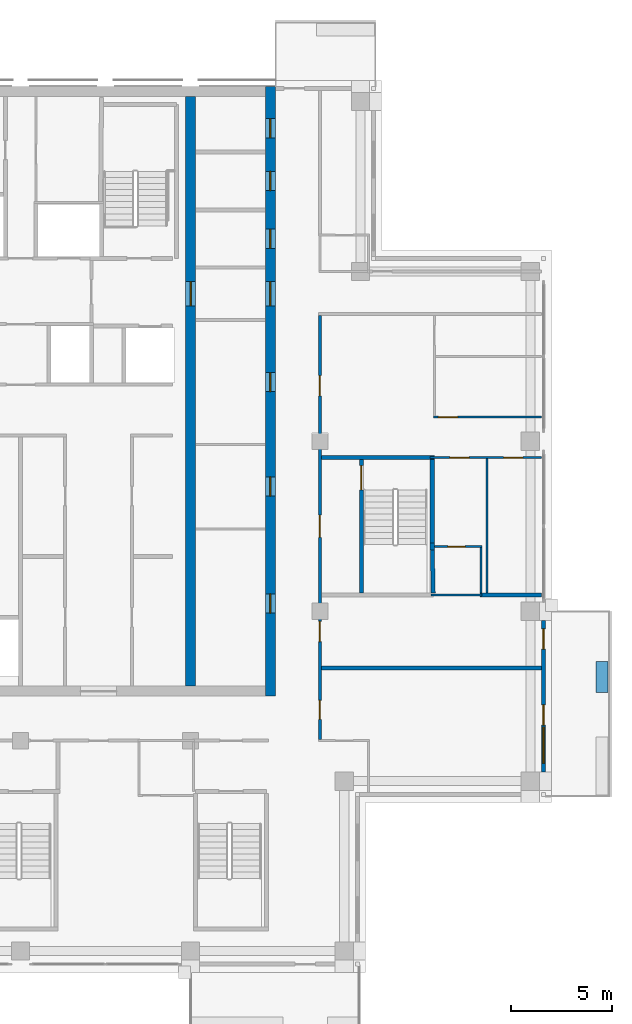
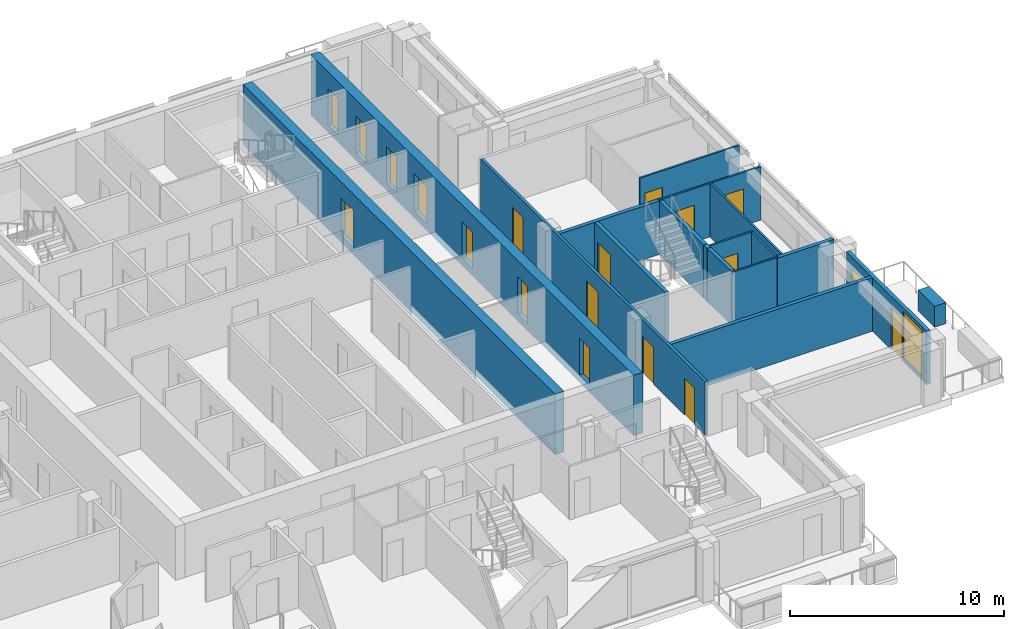
# One storey, part 12 of 18: 19 doors, 18 walls, 1 window, 20 openings.
"""IFC4 building model written with IfcOpenShell, lengths in metres."""

from ifc_helpers import new_model, si_unit, direction, frame, frame_2d, origin, place, context, subcontext, project, spatial, rectangle, extrude, material, layer, layer_set, type_object, element, fill, save


model = new_model("IFC4")

# Units and contexts
model_context = context("Model", 3, precision=1e-05, world=origin(), true_north=direction((0.0, 1.0)))
body_context = subcontext(model_context, "Body", "Model", "MODEL_VIEW")
ifc_project = project(units=[si_unit("LENGTHUNIT", "METRE"), si_unit("AREAUNIT", "SQUARE_METRE"), si_unit("VOLUMEUNIT", "CUBIC_METRE"), si_unit("PLANEANGLEUNIT", "RADIAN"), si_unit("MASSUNIT", "GRAM", prefix="KILO")], contexts=[model_context])

# Site, building, storey
site_placement = place(None, origin())
site = spatial("IfcSite", under=ifc_project, at=site_placement, CompositionType="ELEMENT")
building_placement = place(site_placement, origin())
building = spatial("IfcBuilding", under=site, at=building_placement, Name="Vermilion Ogive Tower", CompositionType="ELEMENT")
storey_placement = place(building_placement, frame((0.0, 0.0, 230.35009765625)))
storey = spatial("IfcBuildingStorey", under=building, at=storey_placement, Name="L60", CompositionType="ELEMENT", Elevation=230.35009765625)

# Wall, openings, doors
ifc_material_1 = material(Name="Concrete B60", Category="concrete")
ifc_layer_1 = layer(ifc_material_1, 0.5)
ifc_layer_set_1 = layer_set([ifc_layer_1], Name="Core wall 500 B60")
wall_type_1 = type_object("IfcWallType", Name="Core wall 500 B60", PredefinedType="SHEAR", material=ifc_layer_set_1)
wall_1_placement = place(storey_placement, frame((12.35009765625, -8.39990234375, -0.400146484375), z_axis=(0.0, 0.0, 1.0), x_axis=(0.0, 1.0, 0.0)))
wall_1 = element("IfcWall", 1, at=wall_1_placement, inside=storey, type_object=wall_type_1, Name="L60-CORE-E", PredefinedType="SHEAR", context=body_context, shape_type="SweptSolid", body=[
    extrude(rectangle(XDim=30.14990234375, YDim=0.5, at=frame_2d((15.074951171875, 0.0))), origin(), (0.0, 0.0, 1.0), 3.449951171875),
])
opening_1_placement = place(wall_1_placement, frame((4.112548828125, 0.0, 0.39990234375)))
opening_1 = element("IfcOpeningElement", 2, at=opening_1_placement, cuts=wall_1, Name="Opening DAC100", PredefinedType="OPENING", context=body_context, shape_type="SweptSolid", body=[
    extrude(rectangle(XDim=0.949951171875, YDim=2.10009765625, at=frame_2d((0.47509765625, 1.050048828125))), frame((0.0, 0.260009765625, 0.0), z_axis=(0.0, -1.0, 0.0), x_axis=(1.0, 0.0, 0.0)), (0.0, 0.0, 1.0), 0.52001953125),
])
opening_2_placement = place(wall_1_placement, frame((9.8896484375, 0.0, 0.39990234375)))
opening_2 = element("IfcOpeningElement", 3, at=opening_2_placement, cuts=wall_1, Name="Opening DAC101", PredefinedType="OPENING", context=body_context, shape_type="SweptSolid", body=[
    extrude(rectangle(XDim=0.949951171875, YDim=2.10009765625, at=frame_2d((0.47509765625, 1.050048828125))), frame((0.0, 0.260009765625, 0.0), z_axis=(0.0, -1.0, 0.0), x_axis=(1.0, 0.0, 0.0)), (0.0, 0.0, 1.0), 0.52001953125),
])
opening_3_placement = place(wall_1_placement, frame((15.052001953125, 0.0, 0.39990234375)))
opening_3 = element("IfcOpeningElement", 4, at=opening_3_placement, cuts=wall_1, Name="Opening DAC102", PredefinedType="OPENING", context=body_context, shape_type="SweptSolid", body=[
    extrude(rectangle(XDim=0.949951171875, YDim=2.10009765625, at=frame_2d((0.47509765625, 1.050048828125))), frame((0.0, 0.260009765625, 0.0), z_axis=(0.0, -1.0, 0.0), x_axis=(1.0, 0.0, 0.0)), (0.0, 0.0, 1.0), 0.52001953125),
])
opening_4_placement = place(wall_1_placement, frame((22.1435546875, 0.0, 0.39990234375)))
opening_4 = element("IfcOpeningElement", 5, at=opening_4_placement, cuts=wall_1, Name="Opening DAC103", PredefinedType="OPENING", context=body_context, shape_type="SweptSolid", body=[
    extrude(rectangle(XDim=0.949951171875, YDim=2.10009765625, at=frame_2d((0.47509765625, 1.050048828125))), frame((0.0, 0.260009765625, 0.0), z_axis=(0.0, -1.0, 0.0), x_axis=(1.0, 0.0, 0.0)), (0.0, 0.0, 1.0), 0.52001953125),
])
opening_5_placement = place(wall_1_placement, frame((24.998291015625, 0.0, 0.39990234375)))
opening_5 = element("IfcOpeningElement", 6, at=opening_5_placement, cuts=wall_1, Name="Opening DAC104", PredefinedType="OPENING", context=body_context, shape_type="SweptSolid", body=[
    extrude(rectangle(XDim=0.949951171875, YDim=2.10009765625, at=frame_2d((0.47509765625, 1.050048828125))), frame((0.0, 0.260009765625, 0.0), z_axis=(0.0, -1.0, 0.0), x_axis=(1.0, 0.0, 0.0)), (0.0, 0.0, 1.0), 0.52001953125),
])
opening_6_placement = place(wall_1_placement, frame((27.604736328125, 0.0, 0.39990234375)))
opening_6 = element("IfcOpeningElement", 7, at=opening_6_placement, cuts=wall_1, Name="Opening DAC105", PredefinedType="OPENING", context=body_context, shape_type="SweptSolid", body=[
    extrude(rectangle(XDim=0.949951171875, YDim=2.10009765625, at=frame_2d((0.47509765625, 1.050048828125))), frame((0.0, 0.260009765625, 0.0), z_axis=(0.0, -1.0, 0.0), x_axis=(1.0, 0.0, 0.0)), (0.0, 0.0, 1.0), 0.52001953125),
])
opening_7_placement = place(wall_1_placement, frame((19.300048828125, 0.0, 0.39990234375)))
opening_7 = element("IfcOpeningElement", 8, at=opening_7_placement, cuts=wall_1, Name="Opening DAL024", PredefinedType="OPENING", context=body_context, shape_type="SweptSolid", body=[
    extrude(rectangle(XDim=1.199951171875, YDim=2.10009765625, at=frame_2d((0.60009765625, 1.050048828125))), frame((0.0, 0.260009765625, 0.0), z_axis=(0.0, -1.0, 0.0), x_axis=(1.0, 0.0, 0.0)), (0.0, 0.0, 1.0), 0.52001953125),
])
ifc_material_2 = material(Name="Timber door leaf", Category="wood")
door_type_1 = type_object("IfcDoorType", Name="Link door 1200 x 2100 FD60S", OperationType="SINGLE_SWING_LEFT", PredefinedType="DOOR", material=ifc_material_2)
door_1_placement = place(opening_7_placement, origin())
door_1 = element("IfcDoor", 9, at=door_1_placement, inside=storey, type_object=door_type_1, Name="L60-CKE-XL", OperationType="SINGLE_SWING_LEFT", OverallHeight=2.10009765625, OverallWidth=1.199951171875, PredefinedType="DOOR", context=body_context, shape_type="SweptSolid", body=[
    extrude(rectangle(XDim=1.199951171875, YDim=2.10009765625, at=frame_2d((0.60009765625, 1.050048828125))), frame((0.0, 0.02490234375, 0.0), z_axis=(0.0, -1.0, 0.0), x_axis=(1.0, 0.0, 0.0)), (0.0, 0.0, 1.0), 0.050048828125),
])
fill(opening_7, door_1)
ifc_material_3 = material(Name="Timber door leaf", Category="wood")
door_type_2 = type_object("IfcDoorType", Name="Service door 950 x 2100 FD60", OperationType="SINGLE_SWING_LEFT", PredefinedType="DOOR", material=ifc_material_3)
door_2_placement = place(opening_1_placement, origin())
door_2 = element("IfcDoor", 10, at=door_2_placement, inside=storey, type_object=door_type_2, Name="L60-CKE-XR0", OperationType="SINGLE_SWING_LEFT", OverallHeight=2.10009765625, OverallWidth=0.949951171875, PredefinedType="DOOR", context=body_context, shape_type="SweptSolid", body=[
    extrude(rectangle(XDim=0.949951171875, YDim=2.10009765625, at=frame_2d((0.47509765625, 1.050048828125))), frame((0.0, 0.02490234375, 0.0), z_axis=(0.0, -1.0, 0.0), x_axis=(1.0, 0.0, 0.0)), (0.0, 0.0, 1.0), 0.050048828125),
])
fill(opening_1, door_2)
door_3_placement = place(opening_2_placement, origin())
door_3 = element("IfcDoor", 11, at=door_3_placement, inside=storey, type_object=door_type_2, Name="L60-CKE-XR1", OperationType="SINGLE_SWING_LEFT", OverallHeight=2.10009765625, OverallWidth=0.949951171875, PredefinedType="DOOR", context=body_context, shape_type="SweptSolid", body=[
    extrude(rectangle(XDim=0.949951171875, YDim=2.10009765625, at=frame_2d((0.47509765625, 1.050048828125))), frame((0.0, 0.02490234375, 0.0), z_axis=(0.0, -1.0, 0.0), x_axis=(1.0, 0.0, 0.0)), (0.0, 0.0, 1.0), 0.050048828125),
])
fill(opening_2, door_3)
door_4_placement = place(opening_3_placement, origin())
door_4 = element("IfcDoor", 12, at=door_4_placement, inside=storey, type_object=door_type_2, Name="L60-CKE-XR2", OperationType="SINGLE_SWING_LEFT", OverallHeight=2.10009765625, OverallWidth=0.949951171875, PredefinedType="DOOR", context=body_context, shape_type="SweptSolid", body=[
    extrude(rectangle(XDim=0.949951171875, YDim=2.10009765625, at=frame_2d((0.47509765625, 1.050048828125))), frame((0.0, 0.02490234375, 0.0), z_axis=(0.0, -1.0, 0.0), x_axis=(1.0, 0.0, 0.0)), (0.0, 0.0, 1.0), 0.050048828125),
])
fill(opening_3, door_4)
door_5_placement = place(opening_4_placement, origin())
door_5 = element("IfcDoor", 13, at=door_5_placement, inside=storey, type_object=door_type_2, Name="L60-CKE-XR3", OperationType="SINGLE_SWING_LEFT", OverallHeight=2.10009765625, OverallWidth=0.949951171875, PredefinedType="DOOR", context=body_context, shape_type="SweptSolid", body=[
    extrude(rectangle(XDim=0.949951171875, YDim=2.10009765625, at=frame_2d((0.47509765625, 1.050048828125))), frame((0.0, 0.02490234375, 0.0), z_axis=(0.0, -1.0, 0.0), x_axis=(1.0, 0.0, 0.0)), (0.0, 0.0, 1.0), 0.050048828125),
])
fill(opening_4, door_5)
door_6_placement = place(opening_5_placement, origin())
door_6 = element("IfcDoor", 14, at=door_6_placement, inside=storey, type_object=door_type_2, Name="L60-CKE-XR4", OperationType="SINGLE_SWING_LEFT", OverallHeight=2.10009765625, OverallWidth=0.949951171875, PredefinedType="DOOR", context=body_context, shape_type="SweptSolid", body=[
    extrude(rectangle(XDim=0.949951171875, YDim=2.10009765625, at=frame_2d((0.47509765625, 1.050048828125))), frame((0.0, 0.02490234375, 0.0), z_axis=(0.0, -1.0, 0.0), x_axis=(1.0, 0.0, 0.0)), (0.0, 0.0, 1.0), 0.050048828125),
])
fill(opening_5, door_6)
door_7_placement = place(opening_6_placement, origin())
door_7 = element("IfcDoor", 15, at=door_7_placement, inside=storey, type_object=door_type_2, Name="L60-CKE-XR5", OperationType="SINGLE_SWING_LEFT", OverallHeight=2.10009765625, OverallWidth=0.949951171875, PredefinedType="DOOR", context=body_context, shape_type="SweptSolid", body=[
    extrude(rectangle(XDim=0.949951171875, YDim=2.10009765625, at=frame_2d((0.47509765625, 1.050048828125))), frame((0.0, 0.02490234375, 0.0), z_axis=(0.0, -1.0, 0.0), x_axis=(1.0, 0.0, 0.0)), (0.0, 0.0, 1.0), 0.050048828125),
])
fill(opening_6, door_7)

# Wall, opening, door
wall_2_placement = place(storey_placement, frame((8.39990234375, -7.89990234375, -0.400146484375), z_axis=(0.0, 0.0, 1.0), x_axis=(0.0, 1.0, 0.0)))
wall_2 = element("IfcWall", 16, at=wall_2_placement, inside=storey, type_object=wall_type_1, Name="L60-CORE-WEB2", PredefinedType="SHEAR", context=body_context, shape_type="SweptSolid", body=[
    extrude(rectangle(XDim=29.14990234375, YDim=0.5, at=frame_2d((14.574951171875, 0.0))), origin(), (0.0, 0.0, 1.0), 3.449951171875),
])
opening_8_placement = place(wall_2_placement, frame((18.800048828125, 0.0, 0.39990234375)))
opening_8 = element("IfcOpeningElement", 17, at=opening_8_placement, cuts=wall_2, Name="Opening DAO019", PredefinedType="OPENING", context=body_context, shape_type="SweptSolid", body=[
    extrude(rectangle(XDim=1.199951171875, YDim=2.10009765625, at=frame_2d((0.60009765625, 1.050048828125))), frame((0.0, 0.260009765625, 0.0), z_axis=(0.0, -1.0, 0.0), x_axis=(1.0, 0.0, 0.0)), (0.0, 0.0, 1.0), 0.52001953125),
])
door_8_placement = place(opening_8_placement, origin())
door_8 = element("IfcDoor", 18, at=door_8_placement, inside=storey, type_object=door_type_1, Name="L60-CKE-XW", OperationType="SINGLE_SWING_LEFT", OverallHeight=2.10009765625, OverallWidth=1.199951171875, PredefinedType="DOOR", context=body_context, shape_type="SweptSolid", body=[
    extrude(rectangle(XDim=1.199951171875, YDim=2.10009765625, at=frame_2d((0.60009765625, 1.050048828125))), frame((0.0, 0.02490234375, 0.0), z_axis=(0.0, -1.0, 0.0), x_axis=(1.0, 0.0, 0.0)), (0.0, 0.0, 1.0), 0.050048828125),
])
fill(opening_8, door_8)

# Wall
ifc_material_4 = material(Name="Gypsum board partition on steel studs", Category="steel")
ifc_layer_2 = layer(ifc_material_4, 0.10009765625)
ifc_layer_set_2 = layer_set([ifc_layer_2], Name="Partition 100 bath")
wall_type_2 = type_object("IfcWallType", Name="Partition 100 bath", PredefinedType="PARTITIONING", material=ifc_layer_set_2)
wall_3_placement = place(storey_placement, frame((20.300048828125, -3.39990234375, 0.0), z_axis=(0.0, 0.0, 1.0), x_axis=(1.0, 0.0, 0.0)))
element("IfcWall", 19, at=wall_3_placement, inside=storey, type_object=wall_type_2, Name="L60-W-W019", PredefinedType="PARTITIONING", context=body_context, shape_type="SweptSolid", body=[
    extrude(rectangle(XDim=2.5, YDim=0.10009765625, at=frame_2d((1.25, 0.0))), origin(), (0.0, 0.0, 1.0), 3.0498046875),
])

# Wall, opening, door
wall_4_placement = place(storey_placement, frame((20.449951171875, -1.0, 0.0), z_axis=(0.0, 0.0, 1.0), x_axis=(1.0, 0.0, 0.0)))
wall_4 = element("IfcWall", 20, at=wall_4_placement, inside=storey, type_object=wall_type_2, Name="L60-W-W021", PredefinedType="PARTITIONING", context=body_context, shape_type="SweptSolid", body=[
    extrude(rectangle(XDim=2.35009765625, YDim=0.10009765625, at=frame_2d((1.175048828125, 0.0))), origin(), (0.0, 0.0, 1.0), 3.0498046875),
])
opening_9_placement = place(wall_4_placement, frame((0.675048828125, 0.0, 0.0)))
opening_9 = element("IfcOpeningElement", 21, at=opening_9_placement, cuts=wall_4, Name="Opening D5G1020", PredefinedType="OPENING", context=body_context, shape_type="SweptSolid", body=[
    extrude(rectangle(XDim=0.85009765625, YDim=2.10009765625, at=frame_2d((0.425048828125, 1.050048828125))), frame((0.0, 0.06005859375, 0.0), z_axis=(0.0, -1.0, 0.0), x_axis=(1.0, 0.0, 0.0)), (0.0, 0.0, 1.0), 0.1201171875),
])
ifc_material_5 = material(Name="Timber door leaf", Category="wood")
door_type_3 = type_object("IfcDoorType", Name="Bath door 850 x 2100 FD30", OperationType="SINGLE_SWING_LEFT", PredefinedType="DOOR", material=ifc_material_5)
door_9_placement = place(opening_9_placement, origin())
door_9 = element("IfcDoor", 22, at=door_9_placement, inside=storey, type_object=door_type_3, Name="L60-D-D020", OperationType="SINGLE_SWING_RIGHT", OverallHeight=2.10009765625, OverallWidth=0.85009765625, PredefinedType="DOOR", context=body_context, shape_type="SweptSolid", body=[
    extrude(rectangle(XDim=0.85009765625, YDim=2.10009765625, at=frame_2d((0.425048828125, 1.050048828125))), frame((0.0, 0.02490234375, 0.0), z_axis=(0.0, -1.0, 0.0), x_axis=(1.0, 0.0, 0.0)), (0.0, 0.0, 1.0), 0.050048828125),
])
fill(opening_9, door_9)

# Wall
wall_5_placement = place(storey_placement, frame((22.75, -3.300048828125, 0.0), z_axis=(0.0, 0.0, 1.0), x_axis=(0.0, 1.0, 0.0)))
element("IfcWall", 23, at=wall_5_placement, inside=storey, type_object=wall_type_2, Name="L60-W-W066", PredefinedType="PARTITIONING", context=body_context, shape_type="SweptSolid", body=[
    extrude(rectangle(XDim=2.25, YDim=0.10009765625, at=frame_2d((1.125, 0.0))), origin(), (0.0, 0.0, 1.0), 3.0498046875),
])

# Wall, openings, doors
ifc_material_6 = material(Name="Gypsum board partition on steel studs", Category="steel")
ifc_layer_3 = layer(ifc_material_6, 0.10009765625)
ifc_layer_set_3 = layer_set([ifc_layer_3], Name="Partition 100 inner")
wall_type_3 = type_object("IfcWallType", Name="Partition 100 inner", PredefinedType="PARTITIONING", material=ifc_layer_set_3)
wall_6_placement = place(storey_placement, frame((20.25, 3.39990234375, 0.0), z_axis=(0.0, 0.0, 1.0), x_axis=(1.0, 0.0, 0.0)))
wall_6 = element("IfcWall", 24, at=wall_6_placement, inside=storey, type_object=wall_type_3, Name="L60-W-W026", PredefinedType="PARTITIONING", context=body_context, shape_type="SweptSolid", body=[
    extrude(rectangle(XDim=5.5, YDim=0.10009765625, at=frame_2d((2.75, 0.0))), origin(), (0.0, 0.0, 1.0), 3.0498046875),
])
opening_10_placement = place(wall_6_placement, frame((3.625, 0.0, 0.0)))
opening_10 = element("IfcOpeningElement", 25, at=opening_10_placement, cuts=wall_6, Name="Opening D5G1015", PredefinedType="OPENING", context=body_context, shape_type="SweptSolid", body=[
    extrude(rectangle(XDim=0.949951171875, YDim=2.10009765625, at=frame_2d((0.47509765625, 1.050048828125))), frame((0.0, 0.06005859375, 0.0), z_axis=(0.0, -1.0, 0.0), x_axis=(1.0, 0.0, 0.0)), (0.0, 0.0, 1.0), 0.1201171875),
])
opening_11_placement = place(wall_6_placement, frame((0.97509765625, 0.0, 0.0)))
opening_11 = element("IfcOpeningElement", 26, at=opening_11_placement, cuts=wall_6, Name="Opening D5G1019", PredefinedType="OPENING", context=body_context, shape_type="SweptSolid", body=[
    extrude(rectangle(XDim=0.949951171875, YDim=2.10009765625, at=frame_2d((0.47509765625, 1.050048828125))), frame((0.0, 0.06005859375, 0.0), z_axis=(0.0, -1.0, 0.0), x_axis=(1.0, 0.0, 0.0)), (0.0, 0.0, 1.0), 0.1201171875),
])
ifc_material_7 = material(Name="Timber door leaf", Category="wood")
door_type_4 = type_object("IfcDoorType", Name="Inner door 950 x 2100 FD30", OperationType="SINGLE_SWING_LEFT", PredefinedType="DOOR", material=ifc_material_7)
door_10_placement = place(opening_10_placement, origin())
door_10 = element("IfcDoor", 27, at=door_10_placement, inside=storey, type_object=door_type_4, Name="L60-D-D015", OperationType="SINGLE_SWING_LEFT", OverallHeight=2.10009765625, OverallWidth=0.949951171875, PredefinedType="DOOR", context=body_context, shape_type="SweptSolid", body=[
    extrude(rectangle(XDim=0.949951171875, YDim=2.10009765625, at=frame_2d((0.47509765625, 1.050048828125))), frame((0.0, 0.02490234375, 0.0), z_axis=(0.0, -1.0, 0.0), x_axis=(1.0, 0.0, 0.0)), (0.0, 0.0, 1.0), 0.050048828125),
])
fill(opening_10, door_10)
door_11_placement = place(opening_11_placement, origin())
door_11 = element("IfcDoor", 28, at=door_11_placement, inside=storey, type_object=door_type_4, Name="L60-D-D019", OperationType="SINGLE_SWING_RIGHT", OverallHeight=2.10009765625, OverallWidth=0.949951171875, PredefinedType="DOOR", context=body_context, shape_type="SweptSolid", body=[
    extrude(rectangle(XDim=0.949951171875, YDim=2.10009765625, at=frame_2d((0.47509765625, 1.050048828125))), frame((0.0, 0.02490234375, 0.0), z_axis=(0.0, -1.0, 0.0), x_axis=(1.0, 0.0, 0.0)), (0.0, 0.0, 1.0), 0.050048828125),
])
fill(opening_11, door_11)

# Wall, opening, door
wall_7_placement = place(storey_placement, frame((20.39990234375, 5.39990234375, 0.0), z_axis=(0.0, 0.0, 1.0), x_axis=(1.0, 0.0, 0.0)))
wall_7 = element("IfcWall", 29, at=wall_7_placement, inside=storey, type_object=wall_type_3, Name="L60-W-W028", PredefinedType="PARTITIONING", context=body_context, shape_type="SweptSolid", body=[
    extrude(rectangle(XDim=5.35009765625, YDim=0.10009765625, at=frame_2d((2.675048828125, 0.0))), origin(), (0.0, 0.0, 1.0), 3.0498046875),
])
opening_12_placement = place(wall_7_placement, frame((0.25, 0.0, 0.0)))
opening_12 = element("IfcOpeningElement", 30, at=opening_12_placement, cuts=wall_7, Name="Opening D5G1016", PredefinedType="OPENING", context=body_context, shape_type="SweptSolid", body=[
    extrude(rectangle(XDim=0.949951171875, YDim=2.10009765625, at=frame_2d((0.47509765625, 1.050048828125))), frame((0.0, 0.06005859375, 0.0), z_axis=(0.0, -1.0, 0.0), x_axis=(1.0, 0.0, 0.0)), (0.0, 0.0, 1.0), 0.1201171875),
])
door_12_placement = place(opening_12_placement, origin())
door_12 = element("IfcDoor", 31, at=door_12_placement, inside=storey, type_object=door_type_4, Name="L60-D-D016", OperationType="SINGLE_SWING_LEFT", OverallHeight=2.10009765625, OverallWidth=0.949951171875, PredefinedType="DOOR", context=body_context, shape_type="SweptSolid", body=[
    extrude(rectangle(XDim=0.949951171875, YDim=2.10009765625, at=frame_2d((0.47509765625, 1.050048828125))), frame((0.0, 0.02490234375, 0.0), z_axis=(0.0, -1.0, 0.0), x_axis=(1.0, 0.0, 0.0)), (0.0, 0.0, 1.0), 0.050048828125),
])
fill(opening_12, door_12)

# Wall
wall_8_placement = place(storey_placement, frame((23.050048828125, -3.300048828125, 0.0), z_axis=(0.0, 0.0, 1.0), x_axis=(0.0, 1.0, 0.0)))
element("IfcWall", 32, at=wall_8_placement, inside=storey, type_object=wall_type_3, Name="L60-W-W067", PredefinedType="PARTITIONING", context=body_context, shape_type="SweptSolid", body=[
    extrude(rectangle(XDim=6.650146484375, YDim=0.10009765625, at=frame_2d((3.3251953125, 0.0))), origin(), (0.0, 0.0, 1.0), 3.0498046875),
])

# Wall, openings, doors
ifc_material_8 = material(Name="Gypsum board partition on steel studs", Category="steel")
ifc_layer_4 = layer(ifc_material_8, 0.14990234375)
ifc_layer_set_4 = layer_set([ifc_layer_4], Name="Partition 150 corridor")
wall_type_4 = type_object("IfcWallType", Name="Partition 150 corridor", PredefinedType="PARTITIONING", material=ifc_layer_set_4)
wall_9_placement = place(storey_placement, frame((14.800048828125, -10.550048828125, 0.0), z_axis=(0.0, 0.0, 1.0), x_axis=(0.0, 1.0, 0.0)))
wall_9 = element("IfcWall", 33, at=wall_9_placement, inside=storey, type_object=wall_type_4, Name="L60-W-W057", PredefinedType="PARTITIONING", context=body_context, shape_type="SweptSolid", body=[
    extrude(rectangle(XDim=20.97509765625, YDim=0.14990234375, at=frame_2d((10.487548828125, 0.0))), origin(), (0.0, 0.0, 1.0), 3.0498046875),
])
opening_13_placement = place(wall_9_placement, frame((1.0, 0.0, 0.0)))
opening_13 = element("IfcOpeningElement", 34, at=opening_13_placement, cuts=wall_9, Name="Opening D5G1013", PredefinedType="OPENING", context=body_context, shape_type="SweptSolid", body=[
    extrude(rectangle(XDim=0.949951171875, YDim=2.10009765625, at=frame_2d((0.47509765625, 1.050048828125))), frame((0.0, 0.0849609375, 0.0), z_axis=(0.0, -1.0, 0.0), x_axis=(1.0, 0.0, 0.0)), (0.0, 0.0, 1.0), 0.169921875),
])
opening_14_placement = place(wall_9_placement, frame((17.0, 0.0, 0.0)))
opening_14 = element("IfcOpeningElement", 35, at=opening_14_placement, cuts=wall_9, Name="Opening D5G1018", PredefinedType="OPENING", context=body_context, shape_type="SweptSolid", body=[
    extrude(rectangle(XDim=1.0, YDim=2.10009765625, at=frame_2d((0.5, 1.050048828125))), frame((0.0, 0.0849609375, 0.0), z_axis=(0.0, -1.0, 0.0), x_axis=(1.0, 0.0, 0.0)), (0.0, 0.0, 1.0), 0.169921875),
])
opening_15_placement = place(wall_9_placement, frame((10.0, 0.0, 0.0)))
opening_15 = element("IfcOpeningElement", 36, at=opening_15_placement, cuts=wall_9, Name="Opening D5G1029", PredefinedType="OPENING", context=body_context, shape_type="SweptSolid", body=[
    extrude(rectangle(XDim=1.10009765625, YDim=2.10009765625, at=frame_2d((0.550048828125, 1.050048828125))), frame((0.0, 0.0849609375, 0.0), z_axis=(0.0, -1.0, 0.0), x_axis=(1.0, 0.0, 0.0)), (0.0, 0.0, 1.0), 0.169921875),
])
opening_16_placement = place(wall_9_placement, frame((4.85009765625, 0.0, 0.0)))
opening_16 = element("IfcOpeningElement", 37, at=opening_16_placement, cuts=wall_9, Name="Opening D5G1034", PredefinedType="OPENING", context=body_context, shape_type="SweptSolid", body=[
    extrude(rectangle(XDim=1.0, YDim=2.10009765625, at=frame_2d((0.5, 1.050048828125))), frame((0.0, 0.0849609375, 0.0), z_axis=(0.0, -1.0, 0.0), x_axis=(1.0, 0.0, 0.0)), (0.0, 0.0, 1.0), 0.169921875),
])
ifc_material_9 = material(Name="Timber door leaf", Category="wood")
door_type_5 = type_object("IfcDoorType", Name="Stair door 1100 x 2100 FD60S", OperationType="SINGLE_SWING_LEFT", PredefinedType="DOOR", material=ifc_material_9)
door_13_placement = place(opening_15_placement, origin())
door_13 = element("IfcDoor", 38, at=door_13_placement, inside=storey, type_object=door_type_5, Name="L60-D-D029", OperationType="SINGLE_SWING_LEFT", OverallHeight=2.10009765625, OverallWidth=1.10009765625, PredefinedType="DOOR", context=body_context, shape_type="SweptSolid", body=[
    extrude(rectangle(XDim=1.10009765625, YDim=2.10009765625, at=frame_2d((0.550048828125, 1.050048828125))), frame((0.0, 0.02490234375, 0.0), z_axis=(0.0, -1.0, 0.0), x_axis=(1.0, 0.0, 0.0)), (0.0, 0.0, 1.0), 0.050048828125),
])
fill(opening_15, door_13)
ifc_material_10 = material(Name="Timber door leaf", Category="wood")
door_type_6 = type_object("IfcDoorType", Name="Unit door 1000 x 2100 FD30S", OperationType="SINGLE_SWING_LEFT", PredefinedType="DOOR", material=ifc_material_10)
door_14_placement = place(opening_14_placement, origin())
door_14 = element("IfcDoor", 39, at=door_14_placement, inside=storey, type_object=door_type_6, Name="L60-D-D018", OperationType="SINGLE_SWING_RIGHT", OverallHeight=2.10009765625, OverallWidth=1.0, PredefinedType="DOOR", context=body_context, shape_type="SweptSolid", body=[
    extrude(rectangle(XDim=1.0, YDim=2.10009765625, at=frame_2d((0.5, 1.050048828125))), frame((0.0, 0.02490234375, 0.0), z_axis=(0.0, -1.0, 0.0), x_axis=(1.0, 0.0, 0.0)), (0.0, 0.0, 1.0), 0.050048828125),
])
fill(opening_14, door_14)
door_15_placement = place(opening_16_placement, origin())
door_15 = element("IfcDoor", 40, at=door_15_placement, inside=storey, type_object=door_type_6, Name="L60-D-D034", OperationType="SINGLE_SWING_LEFT", OverallHeight=2.10009765625, OverallWidth=1.0, PredefinedType="DOOR", context=body_context, shape_type="SweptSolid", body=[
    extrude(rectangle(XDim=1.0, YDim=2.10009765625, at=frame_2d((0.5, 1.050048828125))), frame((0.0, 0.02490234375, 0.0), z_axis=(0.0, -1.0, 0.0), x_axis=(1.0, 0.0, 0.0)), (0.0, 0.0, 1.0), 0.050048828125),
])
fill(opening_16, door_15)
ifc_material_11 = material(Name="Timber door leaf", Category="wood")
door_type_7 = type_object("IfcDoorType", Name="Unit door 950 x 2100 FD30S", OperationType="SINGLE_SWING_LEFT", PredefinedType="DOOR", material=ifc_material_11)
door_16_placement = place(opening_13_placement, origin())
door_16 = element("IfcDoor", 41, at=door_16_placement, inside=storey, type_object=door_type_7, Name="L60-D-D013", OperationType="SINGLE_SWING_RIGHT", OverallHeight=2.10009765625, OverallWidth=0.949951171875, PredefinedType="DOOR", context=body_context, shape_type="SweptSolid", body=[
    extrude(rectangle(XDim=0.949951171875, YDim=2.10009765625, at=frame_2d((0.47509765625, 1.050048828125))), frame((0.0, 0.02490234375, 0.0), z_axis=(0.0, -1.0, 0.0), x_axis=(1.0, 0.0, 0.0)), (0.0, 0.0, 1.0), 0.050048828125),
])
fill(opening_13, door_16)

# Walls
ifc_material_12 = material(Name="Gypsum board partition on steel studs", Category="steel")
ifc_layer_5 = layer(ifc_material_12, 0.199951171875)
ifc_layer_set_5 = layer_set([ifc_layer_5], Name="Partition 200 party")
wall_type_5 = type_object("IfcWallType", Name="Partition 200 party", PredefinedType="PARTITIONING", material=ifc_layer_set_5)
wall_10_placement = place(storey_placement, frame((14.875, -7.0, 0.0), z_axis=(0.0, 0.0, 1.0), x_axis=(1.0, 0.0, 0.0)))
element("IfcWall", 42, at=wall_10_placement, inside=storey, type_object=wall_type_5, Name="L60-W-W015", PredefinedType="PARTITIONING", context=body_context, shape_type="SweptSolid", body=[
    extrude(rectangle(XDim=10.875, YDim=0.199951171875, at=frame_2d((5.4375, 0.0))), origin(), (0.0, 0.0, 1.0), 3.0498046875),
])
wall_11_placement = place(storey_placement, frame((22.699951171875, -3.39990234375, 0.0), z_axis=(0.0, 0.0, 1.0), x_axis=(1.0, 0.0, 0.0)))
element("IfcWall", 43, at=wall_11_placement, inside=storey, type_object=wall_type_5, Name="L60-W-W020", PredefinedType="PARTITIONING", context=body_context, shape_type="SweptSolid", body=[
    extrude(rectangle(XDim=3.050048828125, YDim=0.199951171875, at=frame_2d((1.52490234375, 0.0))), origin(), (0.0, 0.0, 1.0), 3.0498046875),
])
ifc_material_13 = material(Name="Concrete B60", Category="concrete")
ifc_layer_6 = layer(ifc_material_13, 0.199951171875)
ifc_layer_set_6 = layer_set([ifc_layer_6], Name="Stair shaft wall 200 Concrete B60")
wall_type_6 = type_object("IfcWallType", Name="Stair shaft wall 200 Concrete B60", PredefinedType="SOLIDWALL", material=ifc_layer_set_6)
wall_12_placement = place(storey_placement, frame((14.875, 3.39990234375, 0.0), z_axis=(0.0, 0.0, 1.0), x_axis=(1.0, 0.0, 0.0)))
element("IfcWall", 44, at=wall_12_placement, inside=storey, type_object=wall_type_6, Name="L60-W-W025", PredefinedType="SOLIDWALL", context=body_context, shape_type="SweptSolid", body=[
    extrude(rectangle(XDim=5.574951171875, YDim=0.199951171875, at=frame_2d((2.78759765625, 0.0))), origin(), (0.0, 0.0, 1.0), 3.0498046875),
])

# Wall, opening, door
wall_13_placement = place(storey_placement, frame((16.85009765625, -3.300048828125, 0.0), z_axis=(0.0, 0.0, 1.0), x_axis=(0.0, 1.0, 0.0)))
wall_13 = element("IfcWall", 45, at=wall_13_placement, inside=storey, type_object=wall_type_6, Name="L60-W-W060", PredefinedType="SOLIDWALL", context=body_context, shape_type="SweptSolid", body=[
    extrude(rectangle(XDim=6.60009765625, YDim=0.199951171875, at=frame_2d((3.300048828125, 0.0))), origin(), (0.0, 0.0, 1.0), 3.0498046875),
])
opening_17_placement = place(wall_13_placement, frame((5.10009765625, 0.0, 0.0)))
opening_17 = element("IfcOpeningElement", 46, at=opening_17_placement, cuts=wall_13, Name="Opening D5G1030", PredefinedType="OPENING", context=body_context, shape_type="SweptSolid", body=[
    extrude(rectangle(XDim=1.199951171875, YDim=2.10009765625, at=frame_2d((0.60009765625, 1.050048828125))), frame((0.0, 0.10986328125, 0.0), z_axis=(0.0, -1.0, 0.0), x_axis=(1.0, 0.0, 0.0)), (0.0, 0.0, 1.0), 0.219970703125),
])
ifc_material_14 = material(Name="Timber door leaf", Category="wood")
door_type_8 = type_object("IfcDoorType", Name="Stair door 1200 x 2100 FD60S", OperationType="SINGLE_SWING_LEFT", PredefinedType="DOOR", material=ifc_material_14)
door_17_placement = place(opening_17_placement, origin())
door_17 = element("IfcDoor", 47, at=door_17_placement, inside=storey, type_object=door_type_8, Name="L60-D-D030", OperationType="SINGLE_SWING_LEFT", OverallHeight=2.10009765625, OverallWidth=1.199951171875, PredefinedType="DOOR", context=body_context, shape_type="SweptSolid", body=[
    extrude(rectangle(XDim=1.199951171875, YDim=2.10009765625, at=frame_2d((0.60009765625, 1.050048828125))), frame((0.0, 0.02490234375, 0.0), z_axis=(0.0, -1.0, 0.0), x_axis=(1.0, 0.0, 0.0)), (0.0, 0.0, 1.0), 0.050048828125),
])
fill(opening_17, door_17)

# Walls
wall_14_placement = place(storey_placement, frame((20.400146484375, -3.300048828125, 0.0), z_axis=(0.0, 0.0, 1.0), x_axis=(-0.021771342749, 0.999762976227, 0.0)))
element("IfcWall", 48, at=wall_14_placement, inside=storey, type_object=wall_type_6, Name="L60-W-W063", PredefinedType="SOLIDWALL", context=body_context, shape_type="SweptSolid", body=[
    extrude(rectangle(XDim=2.130615234375, YDim=0.199951171875, at=frame_2d((1.0654296875, 0.0))), origin(), (0.0, 0.0, 1.0), 3.0498046875),
])
wall_15_placement = place(storey_placement, frame((20.35009765625, -0.830078125, 0.0), z_axis=(0.0, 0.0, 1.0), x_axis=(0.0, 1.0, 0.0)))
element("IfcWall", 49, at=wall_15_placement, inside=storey, type_object=wall_type_6, Name="L60-W-W064", PredefinedType="SOLIDWALL", context=body_context, shape_type="SweptSolid", body=[
    extrude(rectangle(XDim=4.130126953125, YDim=0.199951171875, at=frame_2d((2.06494140625, 0.0))), origin(), (0.0, 0.0, 1.0), 3.0498046875),
])
wall_16_placement = place(storey_placement, frame((20.35009765625, -1.169921875, 0.0), z_axis=(0.0, 0.0, 1.0), x_axis=(0.0, 1.0, 0.0)))
element("IfcWall", 50, at=wall_16_placement, inside=storey, type_object=wall_type_6, Name="L60-SW-ST8-E1", PredefinedType="SOLIDWALL", context=body_context, shape_type="SweptSolid", body=[
    extrude(rectangle(XDim=0.33984375, YDim=0.199951171875, at=frame_2d((0.169921875, 0.0))), origin(), (0.0, 0.0, 1.0), 3.0498046875),
])
ifc_material_15 = material(Name="Concrete B40", Category="concrete")
ifc_layer_7 = layer(ifc_material_15, 0.60009765625)
ifc_layer_set_7 = layer_set([ifc_layer_7], Name="Structural planter")
wall_type_7 = type_object("IfcWallType", Name="Structural planter", PredefinedType="USERDEFINED", material=ifc_layer_set_7)
wall_17_placement = place(storey_placement, frame((28.75, -8.22509765625, -0.0400390625), z_axis=(0.0, 0.0, 1.0), x_axis=(0.0, 1.0, 0.0)))
element("IfcWall", 51, at=wall_17_placement, inside=storey, type_object=wall_type_7, Name="Planter E01A2", ObjectType="PLANTER", PredefinedType="USERDEFINED", context=body_context, shape_type="SweptSolid", body=[
    extrude(rectangle(XDim=1.550048828125, YDim=0.60009765625, at=frame_2d((0.77490234375, 0.0))), origin(), (0.0, 0.0, 1.0), 1.199951171875),
])

# Wall, openings, doors, window
ifc_material_16 = material(Name="Aluminium window wall framing", Category="aluminium")
ifc_layer_8 = layer(ifc_material_16, 0.199951171875)
ifc_layer_set_8 = layer_set([ifc_layer_8], Name="Window wall")
wall_type_8 = type_object("IfcWallType", Name="Window wall", PredefinedType="STANDARD", material=ifc_layer_set_8)
wall_18_placement = place(storey_placement, frame((25.85009765625, -12.14990234375, 0.0), z_axis=(0.0, 0.0, 1.0), x_axis=(0.0, 1.0, 0.0)))
wall_18 = element("IfcWall", 52, at=wall_18_placement, inside=storey, type_object=wall_type_8, Name="Window wall E1", PredefinedType="STANDARD", context=body_context, shape_type="SweptSolid", body=[
    extrude(rectangle(XDim=7.5, YDim=0.199951171875, at=frame_2d((3.75, 0.0))), origin(), (0.0, 0.0, 1.0), 3.0498046875),
])
opening_18_placement = place(wall_18_placement, frame((0.425048828125, 0.0, 0.199951171875)))
opening_18 = element("IfcOpeningElement", 53, at=opening_18_placement, cuts=wall_18, Name="Opening W1-E97", PredefinedType="OPENING", context=body_context, shape_type="SweptSolid", body=[
    extrude(rectangle(XDim=1.800048828125, YDim=2.64990234375, at=frame_2d((0.89990234375, 1.324951171875))), frame((0.0, 0.10986328125, 0.0), z_axis=(0.0, -1.0, 0.0), x_axis=(1.0, 0.0, 0.0)), (0.0, 0.0, 1.0), 0.219970703125),
])
opening_19_placement = place(wall_18_placement, frame((2.324951171875, 0.0, 0.0)))
opening_19 = element("IfcOpeningElement", 54, at=opening_19_placement, cuts=wall_18, Name="Opening D1-E97", PredefinedType="OPENING", context=body_context, shape_type="SweptSolid", body=[
    extrude(rectangle(XDim=1.0, YDim=2.39990234375, at=frame_2d((0.5, 1.199951171875))), frame((0.0, 0.10986328125, 0.0), z_axis=(0.0, -1.0, 0.0), x_axis=(1.0, 0.0, 0.0)), (0.0, 0.0, 1.0), 0.219970703125),
])
opening_20_placement = place(wall_18_placement, frame((6.074951171875, 0.0, 0.0)))
opening_20 = element("IfcOpeningElement", 55, at=opening_20_placement, cuts=wall_18, Name="Opening D1-E98", PredefinedType="OPENING", context=body_context, shape_type="SweptSolid", body=[
    extrude(rectangle(XDim=1.0, YDim=2.39990234375, at=frame_2d((0.5, 1.199951171875))), frame((0.0, 0.10986328125, 0.0), z_axis=(0.0, -1.0, 0.0), x_axis=(1.0, 0.0, 0.0)), (0.0, 0.0, 1.0), 0.219970703125),
])
ifc_material_17 = material(Name="Aluminium framed glazed door", Category="aluminium")
door_type_9 = type_object("IfcDoorType", Name="Balcony door D1", OperationType="SINGLE_SWING_LEFT", PredefinedType="DOOR", material=ifc_material_17)
door_18_placement = place(opening_19_placement, origin())
door_18 = element("IfcDoor", 56, at=door_18_placement, inside=storey, type_object=door_type_9, Name="Balcony door E97", OperationType="SINGLE_SWING_LEFT", OverallHeight=2.39990234375, OverallWidth=1.0, PredefinedType="DOOR", context=body_context, shape_type="SweptSolid", body=[
    extrude(rectangle(XDim=1.0, YDim=2.39990234375, at=frame_2d((0.5, 1.199951171875))), frame((0.0, 0.02490234375, 0.0), z_axis=(0.0, -1.0, 0.0), x_axis=(1.0, 0.0, 0.0)), (0.0, 0.0, 1.0), 0.050048828125),
])
fill(opening_19, door_18)
door_19_placement = place(opening_20_placement, origin())
door_19 = element("IfcDoor", 57, at=door_19_placement, inside=storey, type_object=door_type_9, Name="Balcony door E98", OperationType="SINGLE_SWING_LEFT", OverallHeight=2.39990234375, OverallWidth=1.0, PredefinedType="DOOR", context=body_context, shape_type="SweptSolid", body=[
    extrude(rectangle(XDim=1.0, YDim=2.39990234375, at=frame_2d((0.5, 1.199951171875))), frame((0.0, 0.02490234375, 0.0), z_axis=(0.0, -1.0, 0.0), x_axis=(1.0, 0.0, 0.0)), (0.0, 0.0, 1.0), 0.050048828125),
])
fill(opening_20, door_19)
ifc_material_18 = material(Name="Aluminium framed double glazing", Category="aluminium")
window_type = type_object("IfcWindowType", Name="Guest window W1", PartitioningType="SINGLE_PANEL", PredefinedType="WINDOW", material=ifc_material_18)
window_placement = place(opening_18_placement, origin())
window = element("IfcWindow", 58, at=window_placement, inside=storey, type_object=window_type, Name="Window E97", OverallHeight=2.64990234375, OverallWidth=1.800048828125, PartitioningType="SINGLE_PANEL", PredefinedType="WINDOW", context=body_context, shape_type="SweptSolid", body=[
    extrude(rectangle(XDim=1.800048828125, YDim=2.64990234375, at=frame_2d((0.89990234375, 1.324951171875))), frame((0.0, 0.030029296875, 0.0), z_axis=(0.0, -1.0, 0.0), x_axis=(1.0, 0.0, 0.0)), (0.0, 0.0, 1.0), 0.06005859375),
])
fill(opening_18, window)

save(model, "model.ifc")
